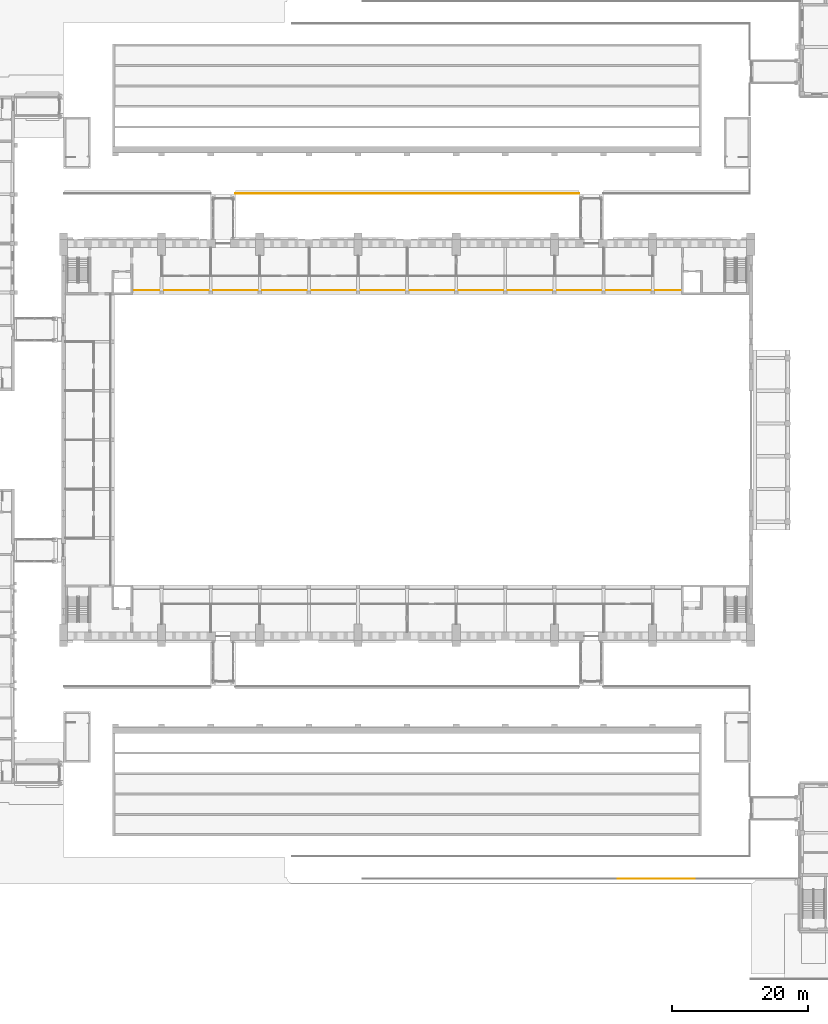
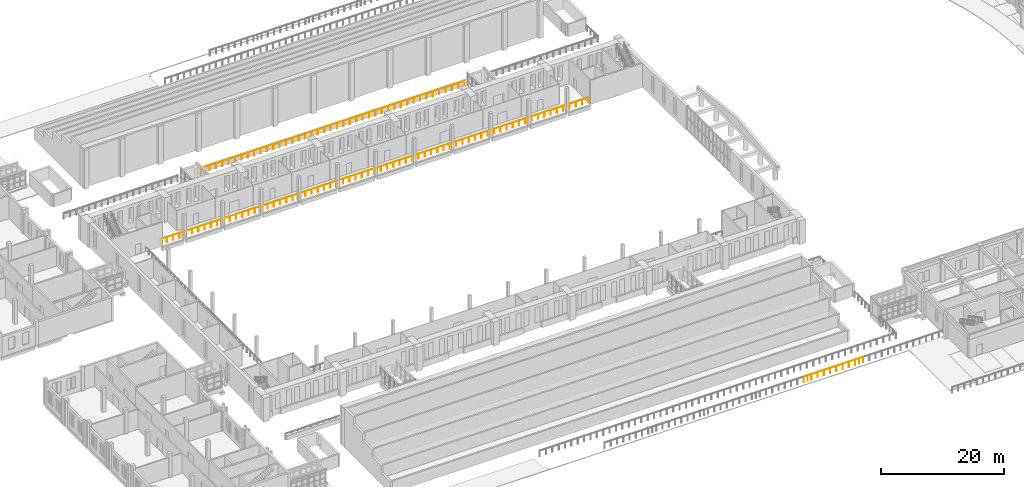
# One storey, part 120 of 131: 5 railings.
"""IFC4 building model written with IfcOpenShell, lengths in metres."""

import ifcopenshell
import ifcopenshell.guid

model = None  # the IFC model being written
_history = None  # IfcOwnerHistory: only IFC2X3 demands one
_inside = {}  # id of a spatial element -> (the spatial element, [elements in it])
_under = {}  # id of a project, library or spatial element -> (it, [spatial elements below it])
_declared = {}  # id of a project -> (the project, [libraries it declares])
_typed = {}  # id of a type object -> (the type object, [elements of that type])
_made_of = {}  # id of a material, layer set ... -> (it, [elements and type objects made of it])


def new_model(schema):
    """Start an empty IFC model of exactly this schema.

    Asked for "IFC4X3", IfcOpenShell would pick the latest addendum, in which some entities
    have other attributes; the version numbers below select the first issue.
    IFC2X3 requires an IfcOwnerHistory on every rooted entity: one is made here for all.
    """
    global model, _history
    if schema == "IFC4X3":
        model = ifcopenshell.file(schema_version=(4, 3, 0, 0))
    else:
        model = ifcopenshell.file(schema=schema)
    _inside.clear()
    _under.clear()
    _declared.clear()
    _typed.clear()
    _made_of.clear()
    _history = None
    if model.schema == "IFC2X3":
        org = make("IfcOrganization", Name="unknown")
        user = make(
            "IfcPersonAndOrganization",
            ThePerson=make("IfcPerson", FamilyName="unknown"),
            TheOrganization=org,
        )
        app = make(
            "IfcApplication",
            ApplicationDeveloper=org,
            Version="unknown",
            ApplicationFullName="unknown",
            ApplicationIdentifier="unknown",
        )
        _history = make(
            "IfcOwnerHistory",
            OwningUser=user,
            OwningApplication=app,
            ChangeAction="ADDED",
            CreationDate=0,
        )
    return model


def make(cls, **values):
    """One entity of the class cls with the attributes given. An attribute that is None is left unset."""
    return model.create_entity(
        cls, **{name: value for name, value in values.items() if value is not None}
    )


def rooted(cls, **values):
    """An entity with a GlobalId (a new one), such as an element, a storey or a relation."""
    return make(cls, GlobalId=ifcopenshell.guid.new(), OwnerHistory=_history, **values)


def si_unit(unit_type, name, prefix=None):
    """IfcSIUnit, for example si_unit("LENGTHUNIT", "METRE", prefix="MILLI")."""
    return make("IfcSIUnit", UnitType=unit_type, Prefix=prefix, Name=name)


def assignment(units):
    """IfcUnitAssignment: the units of a project."""
    return None if units is None else make("IfcUnitAssignment", Units=units)


def point(xyz):
    """IfcCartesianPoint."""
    return None if xyz is None else make("IfcCartesianPoint", Coordinates=xyz)


def direction(xyz):
    """IfcDirection."""
    return None if xyz is None else make("IfcDirection", DirectionRatios=xyz)


def frame(location, z_axis=None, x_axis=None):
    """IfcAxis2Placement3D, a coordinate frame: its origin and axes. An axis left out is left unset."""
    return make(
        "IfcAxis2Placement3D",
        Location=point(location),
        Axis=direction(z_axis),
        RefDirection=direction(x_axis),
    )


def frame_2d(location, x_axis=None):
    """IfcAxis2Placement2D, a coordinate frame in the plane: its origin and x axis."""
    return make(
        "IfcAxis2Placement2D", Location=point(location), RefDirection=direction(x_axis)
    )


def origin():
    """The frame at (0, 0, 0) with its axes left unset."""
    return frame((0.0, 0.0, 0.0))


def origin_2d():
    """The frame at (0, 0) in the plane with its x axis left unset."""
    return frame_2d((0.0, 0.0))


def place(relative_to, where):
    """IfcLocalPlacement: puts the frame where relative to a parent placement (None: the world)."""
    return make(
        "IfcLocalPlacement", PlacementRelTo=relative_to, RelativePlacement=where
    )


def context(
    kind, dimensions, precision=None, world=None, true_north=None, identifier=None
):
    """IfcGeometricRepresentationContext, for example the 3D "Model" context."""
    return make(
        "IfcGeometricRepresentationContext",
        ContextIdentifier=identifier,
        ContextType=kind,
        CoordinateSpaceDimension=dimensions,
        Precision=precision,
        WorldCoordinateSystem=world,
        TrueNorth=true_north,
    )


def subcontext(parent, identifier, kind, view, scale=None):
    """IfcGeometricRepresentationSubContext, for example "Body" below "Model"."""
    return make(
        "IfcGeometricRepresentationSubContext",
        ContextIdentifier=identifier,
        ContextType=kind,
        ParentContext=parent,
        TargetScale=scale,
        TargetView=view,
    )


def project(units=None, contexts=None):
    """IfcProject with its units and contexts."""
    return rooted(
        "IfcProject",
        Name="project",
        RepresentationContexts=contexts,
        UnitsInContext=assignment(units),
    )


def spatial(cls, under=None, at=None, **own):
    """A site, building, storey or space (cls), placed at a placement, below another one or the project."""
    s = rooted(cls, ObjectPlacement=at, **own)
    if under is not None:
        _under.setdefault(under.id(), (under, []))[1].append(s)
    return s


def profile(cls, at=None, kind="AREA", **sizes):
    """A parametric profile (cls). Its sizes go by their IFC names, for example OverallWidth=200.0."""
    return make(cls, ProfileType=kind, Position=at, **sizes)


def circle(**sizes):
    """IfcCircleProfileDef."""
    return profile("IfcCircleProfileDef", **sizes)


def extrude(swept, where, along, depth):
    """IfcExtrudedAreaSolid: the profile swept, set in the frame where, extruded along a direction by depth."""
    return make(
        "IfcExtrudedAreaSolid",
        SweptArea=swept,
        Position=where,
        ExtrudedDirection=direction(along),
        Depth=depth,
    )


def shape(context_of_items, identifier, shape_type, items):
    """IfcShapeRepresentation: the items that make up one representation, for example the "Body"."""
    return make(
        "IfcShapeRepresentation",
        ContextOfItems=context_of_items,
        RepresentationIdentifier=identifier,
        RepresentationType=shape_type,
        Items=items,
    )


def material(Name=None, Category=None):
    """IfcMaterial."""
    return make("IfcMaterial", Name=Name, Category=Category)


def made_of(thing, what):
    """Note that an element or type object is made of a material, layer set ...; save() writes the relation."""
    if what is not None:
        _made_of.setdefault(what.id(), (what, []))[1].append(thing)
    return thing


def type_object(cls, material=None, **own):
    """A type object (cls), such as IfcWallType, which elements share."""
    return made_of(rooted(cls, **own), material)


def element(
    cls,
    number,
    at=None,
    inside=None,
    cuts=None,
    type_object=None,
    material=None,
    context=None,
    identifier="Body",
    shape_type=None,
    held_by="IfcProductDefinitionShape",
    body=None,
    shapes=None,
    **own,
):
    """One element of the class cls, such as IfcWall. Its Tag is "e" and its number.

    at: its placement. inside: the storey or other place that contains it. cuts: it is an
    opening in that element (IfcRelVoidsElement). A single representation is given by context,
    identifier, shape_type and body (its items); several are given by shapes. held_by: the class
    of the entity that holds the representations. save() writes the other relations.
    """
    e = rooted(cls, Tag="e%d" % number, ObjectPlacement=at, **own)
    if body is not None:
        shapes = [shape(context, identifier, shape_type, body)]
    if shapes is not None:
        e.Representation = make(held_by, Representations=shapes)
    if inside is not None:
        _inside.setdefault(inside.id(), (inside, []))[1].append(e)
    if cuts is not None:
        rooted(
            "IfcRelVoidsElement", RelatingBuildingElement=cuts, RelatedOpeningElement=e
        )
    if type_object is not None:
        _typed.setdefault(type_object.id(), (type_object, []))[1].append(e)
    return made_of(e, material)


def aggregate(whole, parts):
    """IfcRelAggregates: a whole, such as a stair, and the parts it consists of."""
    return rooted("IfcRelAggregates", RelatingObject=whole, RelatedObjects=parts)


def save(model, path):
    """Write the relations noted so far, then the file.

    IfcRelAggregates (storeys below a building ...), IfcRelContainedInSpatialStructure (elements
    in a storey), IfcRelDefinesByType, IfcRelAssociatesMaterial and IfcRelDeclares: one each for
    every whole, place, type object, material and project.
    """
    for whole, parts in _under.values():
        aggregate(whole, parts)
    for where, things in _inside.values():
        rooted(
            "IfcRelContainedInSpatialStructure",
            RelatedElements=things,
            RelatingStructure=where,
        )
    for kind, things in _typed.values():
        rooted("IfcRelDefinesByType", RelatedObjects=things, RelatingType=kind)
    for what, things in _made_of.values():
        rooted("IfcRelAssociatesMaterial", RelatedObjects=things, RelatingMaterial=what)
    for by, libraries in _declared.values():
        rooted("IfcRelDeclares", RelatingContext=by, RelatedDefinitions=libraries)
    model.write(path)


model = new_model("IFC4")

# Units and contexts
model_context = context("Model", 3, precision=1e-05, world=origin(), true_north=direction((0.0, 1.0)))
body_context = subcontext(model_context, "Body", "Model", "MODEL_VIEW")
ifc_project = project(units=[si_unit("LENGTHUNIT", "METRE"), si_unit("AREAUNIT", "SQUARE_METRE"), si_unit("VOLUMEUNIT", "CUBIC_METRE"), si_unit("PLANEANGLEUNIT", "RADIAN"), si_unit("MASSUNIT", "GRAM", prefix="KILO")], contexts=[model_context])

# Site, building, storey
site_placement = place(None, origin())
site = spatial("IfcSite", under=ifc_project, at=site_placement, CompositionType="ELEMENT")
building_placement = place(site_placement, origin())
building = spatial("IfcBuilding", under=site, at=building_placement, Name="Alderwick Market Hall", CompositionType="ELEMENT")
storey_placement = place(building_placement, frame((0.0, 0.0, 4.800048828125)))
storey = spatial("IfcBuildingStorey", under=building, at=storey_placement, Name="L00", CompositionType="ELEMENT", Elevation=4.800048828125)

# Railings
ifc_material_1 = material(Name="Steel ASTM A500 Grade C", Category="steel")
railing_type_1 = type_object("IfcRailingType", Name="A Roof Guard 1100", PredefinedType="GUARDRAIL", material=ifc_material_1)
railing_1_placement = place(storey_placement, frame((75.60009765625, 115.35009765625, 0.0)))
element("IfcRailing", 1, at=railing_1_placement, inside=storey, type_object=railing_type_1, Name="Roof guard", PredefinedType="GUARDRAIL", context=body_context, shape_type="SweptSolid", body=[
    extrude(circle(Radius=0.02392578125, at=origin_2d()), frame((0.0, 0.0, 1.076171875), z_axis=(1.0, 0.0, 0.0), x_axis=(0.0, 1.0, 0.0)), (0.0, 0.0, 1.0), 50.39990234375),
    extrude(circle(Radius=0.02099609375, at=origin_2d()), origin(), (0.0, 0.0, 1.0), 1.052001953125),
    extrude(circle(Radius=0.02099609375, at=origin_2d()), frame((1.199951171875, 0.0, 0.0)), (0.0, 0.0, 1.0), 1.052001953125),
    extrude(circle(Radius=0.02099609375, at=origin_2d()), frame((2.39990234375, 0.0, 0.0)), (0.0, 0.0, 1.0), 1.052001953125),
    extrude(circle(Radius=0.02099609375, at=origin_2d()), frame((3.60009765625, 0.0, 0.0)), (0.0, 0.0, 1.0), 1.052001953125),
    extrude(circle(Radius=0.02099609375, at=origin_2d()), frame((4.800048828125, 0.0, 0.0)), (0.0, 0.0, 1.0), 1.052001953125),
    extrude(circle(Radius=0.02099609375, at=origin_2d()), frame((6.0, 0.0, 0.0)), (0.0, 0.0, 1.0), 1.052001953125),
    extrude(circle(Radius=0.02099609375, at=origin_2d()), frame((7.199951171875, 0.0, 0.0)), (0.0, 0.0, 1.0), 1.052001953125),
    extrude(circle(Radius=0.02099609375, at=origin_2d()), frame((8.39990234375, 0.0, 0.0)), (0.0, 0.0, 1.0), 1.052001953125),
    extrude(circle(Radius=0.02099609375, at=origin_2d()), frame((9.60009765625, 0.0, 0.0)), (0.0, 0.0, 1.0), 1.052001953125),
    extrude(circle(Radius=0.02099609375, at=origin_2d()), frame((10.800048828125, 0.0, 0.0)), (0.0, 0.0, 1.0), 1.052001953125),
    extrude(circle(Radius=0.02099609375, at=origin_2d()), frame((12.0, 0.0, 0.0)), (0.0, 0.0, 1.0), 1.052001953125),
    extrude(circle(Radius=0.02099609375, at=origin_2d()), frame((13.199951171875, 0.0, 0.0)), (0.0, 0.0, 1.0), 1.052001953125),
    extrude(circle(Radius=0.02099609375, at=origin_2d()), frame((14.39990234375, 0.0, 0.0)), (0.0, 0.0, 1.0), 1.052001953125),
    extrude(circle(Radius=0.02099609375, at=origin_2d()), frame((15.599853515625, 0.0, 0.0)), (0.0, 0.0, 1.0), 1.052001953125),
    extrude(circle(Radius=0.02099609375, at=origin_2d()), frame((16.800048828125, 0.0, 0.0)), (0.0, 0.0, 1.0), 1.052001953125),
    extrude(circle(Radius=0.02099609375, at=origin_2d()), frame((18.0, 0.0, 0.0)), (0.0, 0.0, 1.0), 1.052001953125),
    extrude(circle(Radius=0.02099609375, at=origin_2d()), frame((19.199951171875, 0.0, 0.0)), (0.0, 0.0, 1.0), 1.052001953125),
    extrude(circle(Radius=0.02099609375, at=origin_2d()), frame((20.39990234375, 0.0, 0.0)), (0.0, 0.0, 1.0), 1.052001953125),
    extrude(circle(Radius=0.02099609375, at=origin_2d()), frame((21.599853515625, 0.0, 0.0)), (0.0, 0.0, 1.0), 1.052001953125),
    extrude(circle(Radius=0.02099609375, at=origin_2d()), frame((22.800048828125, 0.0, 0.0)), (0.0, 0.0, 1.0), 1.052001953125),
    extrude(circle(Radius=0.02099609375, at=origin_2d()), frame((24.0, 0.0, 0.0)), (0.0, 0.0, 1.0), 1.052001953125),
    extrude(circle(Radius=0.02099609375, at=origin_2d()), frame((25.199951171875, 0.0, 0.0)), (0.0, 0.0, 1.0), 1.052001953125),
    extrude(circle(Radius=0.02099609375, at=origin_2d()), frame((26.39990234375, 0.0, 0.0)), (0.0, 0.0, 1.0), 1.052001953125),
    extrude(circle(Radius=0.02099609375, at=origin_2d()), frame((27.599853515625, 0.0, 0.0)), (0.0, 0.0, 1.0), 1.052001953125),
    extrude(circle(Radius=0.02099609375, at=origin_2d()), frame((28.800048828125, 0.0, 0.0)), (0.0, 0.0, 1.0), 1.052001953125),
    extrude(circle(Radius=0.02099609375, at=origin_2d()), frame((30.0, 0.0, 0.0)), (0.0, 0.0, 1.0), 1.052001953125),
    extrude(circle(Radius=0.02099609375, at=origin_2d()), frame((31.199951171875, 0.0, 0.0)), (0.0, 0.0, 1.0), 1.052001953125),
    extrude(circle(Radius=0.02099609375, at=origin_2d()), frame((32.39990234375, 0.0, 0.0)), (0.0, 0.0, 1.0), 1.052001953125),
    extrude(circle(Radius=0.02099609375, at=origin_2d()), frame((33.599853515625, 0.0, 0.0)), (0.0, 0.0, 1.0), 1.052001953125),
    extrude(circle(Radius=0.02099609375, at=origin_2d()), frame((34.800048828125, 0.0, 0.0)), (0.0, 0.0, 1.0), 1.052001953125),
    extrude(circle(Radius=0.02099609375, at=origin_2d()), frame((36.0, 0.0, 0.0)), (0.0, 0.0, 1.0), 1.052001953125),
    extrude(circle(Radius=0.02099609375, at=origin_2d()), frame((37.199951171875, 0.0, 0.0)), (0.0, 0.0, 1.0), 1.052001953125),
    extrude(circle(Radius=0.02099609375, at=origin_2d()), frame((38.39990234375, 0.0, 0.0)), (0.0, 0.0, 1.0), 1.052001953125),
    extrude(circle(Radius=0.02099609375, at=origin_2d()), frame((39.599853515625, 0.0, 0.0)), (0.0, 0.0, 1.0), 1.052001953125),
    extrude(circle(Radius=0.02099609375, at=origin_2d()), frame((40.7998046875, 0.0, 0.0)), (0.0, 0.0, 1.0), 1.052001953125),
    extrude(circle(Radius=0.02099609375, at=origin_2d()), frame((42.0, 0.0, 0.0)), (0.0, 0.0, 1.0), 1.052001953125),
    extrude(circle(Radius=0.02099609375, at=origin_2d()), frame((43.199951171875, 0.0, 0.0)), (0.0, 0.0, 1.0), 1.052001953125),
    extrude(circle(Radius=0.02099609375, at=origin_2d()), frame((44.39990234375, 0.0, 0.0)), (0.0, 0.0, 1.0), 1.052001953125),
    extrude(circle(Radius=0.02099609375, at=origin_2d()), frame((45.599853515625, 0.0, 0.0)), (0.0, 0.0, 1.0), 1.052001953125),
    extrude(circle(Radius=0.02099609375, at=origin_2d()), frame((46.7998046875, 0.0, 0.0)), (0.0, 0.0, 1.0), 1.052001953125),
    extrude(circle(Radius=0.02099609375, at=origin_2d()), frame((48.0, 0.0, 0.0)), (0.0, 0.0, 1.0), 1.052001953125),
    extrude(circle(Radius=0.02099609375, at=origin_2d()), frame((49.199951171875, 0.0, 0.0)), (0.0, 0.0, 1.0), 1.052001953125),
    extrude(circle(Radius=0.02099609375, at=origin_2d()), frame((50.39990234375, 0.0, 0.0)), (0.0, 0.0, 1.0), 1.052001953125),
])
ifc_material_2 = material(Name="Steel, painted", Category="steel")
railing_type_2 = type_object("IfcRailingType", Name="H Guard 1100", PredefinedType="GUARDRAIL", material=ifc_material_2)
railing_2_placement = place(storey_placement, frame((60.550048828125, 101.10009765625, 0.0)))
element("IfcRailing", 2, at=railing_2_placement, inside=storey, type_object=railing_type_2, Name="Gallery guard N L00", PredefinedType="GUARDRAIL", context=body_context, shape_type="SweptSolid", body=[
    extrude(circle(Radius=0.02392578125, at=origin_2d()), frame((0.0, 0.0, 1.076171875), z_axis=(1.0, 0.0, 0.0), x_axis=(0.0, 1.0, 0.0)), (0.0, 0.0, 1.0), 80.5),
    extrude(circle(Radius=0.02099609375, at=origin_2d()), origin(), (0.0, 0.0, 1.0), 1.052001953125),
    extrude(circle(Radius=0.02099609375, at=origin_2d()), frame((1.183837890625, 0.0, 0.0)), (0.0, 0.0, 1.0), 1.052001953125),
    extrude(circle(Radius=0.02099609375, at=origin_2d()), frame((2.36767578125, 0.0, 0.0)), (0.0, 0.0, 1.0), 1.052001953125),
    extrude(circle(Radius=0.02099609375, at=origin_2d()), frame((3.551513671875, 0.0, 0.0)), (0.0, 0.0, 1.0), 1.052001953125),
    extrude(circle(Radius=0.02099609375, at=origin_2d()), frame((4.7353515625, 0.0, 0.0)), (0.0, 0.0, 1.0), 1.052001953125),
    extrude(circle(Radius=0.02099609375, at=origin_2d()), frame((5.919189453125, 0.0, 0.0)), (0.0, 0.0, 1.0), 1.052001953125),
    extrude(circle(Radius=0.02099609375, at=origin_2d()), frame((7.10302734375, 0.0, 0.0)), (0.0, 0.0, 1.0), 1.052001953125),
    extrude(circle(Radius=0.02099609375, at=origin_2d()), frame((8.286865234375, 0.0, 0.0)), (0.0, 0.0, 1.0), 1.052001953125),
    extrude(circle(Radius=0.02099609375, at=origin_2d()), frame((9.470703125, 0.0, 0.0)), (0.0, 0.0, 1.0), 1.052001953125),
    extrude(circle(Radius=0.02099609375, at=origin_2d()), frame((10.654296875, 0.0, 0.0)), (0.0, 0.0, 1.0), 1.052001953125),
    extrude(circle(Radius=0.02099609375, at=origin_2d()), frame((11.838134765625, 0.0, 0.0)), (0.0, 0.0, 1.0), 1.052001953125),
    extrude(circle(Radius=0.02099609375, at=origin_2d()), frame((13.02197265625, 0.0, 0.0)), (0.0, 0.0, 1.0), 1.052001953125),
    extrude(circle(Radius=0.02099609375, at=origin_2d()), frame((14.205810546875, 0.0, 0.0)), (0.0, 0.0, 1.0), 1.052001953125),
    extrude(circle(Radius=0.02099609375, at=origin_2d()), frame((15.3896484375, 0.0, 0.0)), (0.0, 0.0, 1.0), 1.052001953125),
    extrude(circle(Radius=0.02099609375, at=origin_2d()), frame((16.573486328125, 0.0, 0.0)), (0.0, 0.0, 1.0), 1.052001953125),
    extrude(circle(Radius=0.02099609375, at=origin_2d()), frame((17.75732421875, 0.0, 0.0)), (0.0, 0.0, 1.0), 1.052001953125),
    extrude(circle(Radius=0.02099609375, at=origin_2d()), frame((18.941162109375, 0.0, 0.0)), (0.0, 0.0, 1.0), 1.052001953125),
    extrude(circle(Radius=0.02099609375, at=origin_2d()), frame((20.125, 0.0, 0.0)), (0.0, 0.0, 1.0), 1.052001953125),
    extrude(circle(Radius=0.02099609375, at=origin_2d()), frame((21.308837890625, 0.0, 0.0)), (0.0, 0.0, 1.0), 1.052001953125),
    extrude(circle(Radius=0.02099609375, at=origin_2d()), frame((22.49267578125, 0.0, 0.0)), (0.0, 0.0, 1.0), 1.052001953125),
    extrude(circle(Radius=0.02099609375, at=origin_2d()), frame((23.676513671875, 0.0, 0.0)), (0.0, 0.0, 1.0), 1.052001953125),
    extrude(circle(Radius=0.02099609375, at=origin_2d()), frame((24.8603515625, 0.0, 0.0)), (0.0, 0.0, 1.0), 1.052001953125),
    extrude(circle(Radius=0.02099609375, at=origin_2d()), frame((26.044189453125, 0.0, 0.0)), (0.0, 0.0, 1.0), 1.052001953125),
    extrude(circle(Radius=0.02099609375, at=origin_2d()), frame((27.22802734375, 0.0, 0.0)), (0.0, 0.0, 1.0), 1.052001953125),
    extrude(circle(Radius=0.02099609375, at=origin_2d()), frame((28.411865234375, 0.0, 0.0)), (0.0, 0.0, 1.0), 1.052001953125),
    extrude(circle(Radius=0.02099609375, at=origin_2d()), frame((29.595703125, 0.0, 0.0)), (0.0, 0.0, 1.0), 1.052001953125),
    extrude(circle(Radius=0.02099609375, at=origin_2d()), frame((30.779296875, 0.0, 0.0)), (0.0, 0.0, 1.0), 1.052001953125),
    extrude(circle(Radius=0.02099609375, at=origin_2d()), frame((31.963134765625, 0.0, 0.0)), (0.0, 0.0, 1.0), 1.052001953125),
    extrude(circle(Radius=0.02099609375, at=origin_2d()), frame((33.14697265625, 0.0, 0.0)), (0.0, 0.0, 1.0), 1.052001953125),
    extrude(circle(Radius=0.02099609375, at=origin_2d()), frame((34.330810546875, 0.0, 0.0)), (0.0, 0.0, 1.0), 1.052001953125),
    extrude(circle(Radius=0.02099609375, at=origin_2d()), frame((35.5146484375, 0.0, 0.0)), (0.0, 0.0, 1.0), 1.052001953125),
    extrude(circle(Radius=0.02099609375, at=origin_2d()), frame((36.698486328125, 0.0, 0.0)), (0.0, 0.0, 1.0), 1.052001953125),
    extrude(circle(Radius=0.02099609375, at=origin_2d()), frame((37.88232421875, 0.0, 0.0)), (0.0, 0.0, 1.0), 1.052001953125),
    extrude(circle(Radius=0.02099609375, at=origin_2d()), frame((39.066162109375, 0.0, 0.0)), (0.0, 0.0, 1.0), 1.052001953125),
    extrude(circle(Radius=0.02099609375, at=origin_2d()), frame((40.25, 0.0, 0.0)), (0.0, 0.0, 1.0), 1.052001953125),
    extrude(circle(Radius=0.02099609375, at=origin_2d()), frame((41.433837890625, 0.0, 0.0)), (0.0, 0.0, 1.0), 1.052001953125),
    extrude(circle(Radius=0.02099609375, at=origin_2d()), frame((42.61767578125, 0.0, 0.0)), (0.0, 0.0, 1.0), 1.052001953125),
    extrude(circle(Radius=0.02099609375, at=origin_2d()), frame((43.801513671875, 0.0, 0.0)), (0.0, 0.0, 1.0), 1.052001953125),
    extrude(circle(Radius=0.02099609375, at=origin_2d()), frame((44.9853515625, 0.0, 0.0)), (0.0, 0.0, 1.0), 1.052001953125),
    extrude(circle(Radius=0.02099609375, at=origin_2d()), frame((46.169189453125, 0.0, 0.0)), (0.0, 0.0, 1.0), 1.052001953125),
    extrude(circle(Radius=0.02099609375, at=origin_2d()), frame((47.35302734375, 0.0, 0.0)), (0.0, 0.0, 1.0), 1.052001953125),
    extrude(circle(Radius=0.02099609375, at=origin_2d()), frame((48.536865234375, 0.0, 0.0)), (0.0, 0.0, 1.0), 1.052001953125),
    extrude(circle(Radius=0.02099609375, at=origin_2d()), frame((49.720703125, 0.0, 0.0)), (0.0, 0.0, 1.0), 1.052001953125),
    extrude(circle(Radius=0.02099609375, at=origin_2d()), frame((50.904296875, 0.0, 0.0)), (0.0, 0.0, 1.0), 1.052001953125),
    extrude(circle(Radius=0.02099609375, at=origin_2d()), frame((52.088134765625, 0.0, 0.0)), (0.0, 0.0, 1.0), 1.052001953125),
    extrude(circle(Radius=0.02099609375, at=origin_2d()), frame((53.27197265625, 0.0, 0.0)), (0.0, 0.0, 1.0), 1.052001953125),
    extrude(circle(Radius=0.02099609375, at=origin_2d()), frame((54.455810546875, 0.0, 0.0)), (0.0, 0.0, 1.0), 1.052001953125),
    extrude(circle(Radius=0.02099609375, at=origin_2d()), frame((55.6396484375, 0.0, 0.0)), (0.0, 0.0, 1.0), 1.052001953125),
    extrude(circle(Radius=0.02099609375, at=origin_2d()), frame((56.823486328125, 0.0, 0.0)), (0.0, 0.0, 1.0), 1.052001953125),
    extrude(circle(Radius=0.02099609375, at=origin_2d()), frame((58.00732421875, 0.0, 0.0)), (0.0, 0.0, 1.0), 1.052001953125),
    extrude(circle(Radius=0.02099609375, at=origin_2d()), frame((59.191162109375, 0.0, 0.0)), (0.0, 0.0, 1.0), 1.052001953125),
    extrude(circle(Radius=0.02099609375, at=origin_2d()), frame((60.375, 0.0, 0.0)), (0.0, 0.0, 1.0), 1.052001953125),
    extrude(circle(Radius=0.02099609375, at=origin_2d()), frame((61.558837890625, 0.0, 0.0)), (0.0, 0.0, 1.0), 1.052001953125),
    extrude(circle(Radius=0.02099609375, at=origin_2d()), frame((62.74267578125, 0.0, 0.0)), (0.0, 0.0, 1.0), 1.052001953125),
    extrude(circle(Radius=0.02099609375, at=origin_2d()), frame((63.926513671875, 0.0, 0.0)), (0.0, 0.0, 1.0), 1.052001953125),
    extrude(circle(Radius=0.02099609375, at=origin_2d()), frame((65.1103515625, 0.0, 0.0)), (0.0, 0.0, 1.0), 1.052001953125),
    extrude(circle(Radius=0.02099609375, at=origin_2d()), frame((66.294189453125, 0.0, 0.0)), (0.0, 0.0, 1.0), 1.052001953125),
    extrude(circle(Radius=0.02099609375, at=origin_2d()), frame((67.47802734375, 0.0, 0.0)), (0.0, 0.0, 1.0), 1.052001953125),
    extrude(circle(Radius=0.02099609375, at=origin_2d()), frame((68.661865234375, 0.0, 0.0)), (0.0, 0.0, 1.0), 1.052001953125),
    extrude(circle(Radius=0.02099609375, at=origin_2d()), frame((69.845703125, 0.0, 0.0)), (0.0, 0.0, 1.0), 1.052001953125),
    extrude(circle(Radius=0.02099609375, at=origin_2d()), frame((71.029296875, 0.0, 0.0)), (0.0, 0.0, 1.0), 1.052001953125),
    extrude(circle(Radius=0.02099609375, at=origin_2d()), frame((72.213134765625, 0.0, 0.0)), (0.0, 0.0, 1.0), 1.052001953125),
    extrude(circle(Radius=0.02099609375, at=origin_2d()), frame((73.39697265625, 0.0, 0.0)), (0.0, 0.0, 1.0), 1.052001953125),
    extrude(circle(Radius=0.02099609375, at=origin_2d()), frame((74.580810546875, 0.0, 0.0)), (0.0, 0.0, 1.0), 1.052001953125),
    extrude(circle(Radius=0.02099609375, at=origin_2d()), frame((75.7646484375, 0.0, 0.0)), (0.0, 0.0, 1.0), 1.052001953125),
    extrude(circle(Radius=0.02099609375, at=origin_2d()), frame((76.948486328125, 0.0, 0.0)), (0.0, 0.0, 1.0), 1.052001953125),
    extrude(circle(Radius=0.02099609375, at=origin_2d()), frame((78.13232421875, 0.0, 0.0)), (0.0, 0.0, 1.0), 1.052001953125),
    extrude(circle(Radius=0.02099609375, at=origin_2d()), frame((79.316162109375, 0.0, 0.0)), (0.0, 0.0, 1.0), 1.052001953125),
    extrude(circle(Radius=0.02099609375, at=origin_2d()), frame((80.5, 0.0, 0.0)), (0.0, 0.0, 1.0), 1.052001953125),
])
railing_type_3 = type_object("IfcRailingType", Name="S Guard 1100", PredefinedType="GUARDRAIL", material=ifc_material_1)
railing_3_placement = place(storey_placement, frame((142.970947265625, 14.85009765625, 0.0)))
element("IfcRailing", 3, at=railing_3_placement, inside=storey, type_object=railing_type_3, Name="Guard S.03", PredefinedType="GUARDRAIL", context=body_context, shape_type="SweptSolid", body=[
    extrude(circle(Radius=0.02490234375, at=origin_2d()), frame((0.0, 0.0, 1.0751953125), z_axis=(-1.0, 0.0, 0.0), x_axis=(0.0, -1.0, 0.0)), (0.0, 0.0, 1.0), 1.5),
    extrude(circle(Radius=0.02001953125, at=origin_2d()), origin(), (0.0, 0.0, 1.0), 1.050048828125),
    extrude(circle(Radius=0.02001953125, at=origin_2d()), frame((-0.75, 0.0, 0.0)), (0.0, 0.0, 1.0), 1.050048828125),
    extrude(circle(Radius=0.02001953125, at=origin_2d()), frame((-1.5, 0.0, 0.0)), (0.0, 0.0, 1.0), 1.050048828125),
])
railing_4_placement = place(storey_placement, frame((141.470947265625, 14.85009765625, 0.0)))
element("IfcRailing", 4, at=railing_4_placement, inside=storey, type_object=railing_type_3, Name="Guard S.04", PredefinedType="GUARDRAIL", context=body_context, shape_type="SweptSolid", body=[
    extrude(circle(Radius=0.02490234375, at=origin_2d()), frame((0.0, 0.0, 1.0751953125), z_axis=(-1.0, 0.0, 0.0), x_axis=(0.0, -1.0, 0.0)), (0.0, 0.0, 1.0), 8.22802734375),
    extrude(circle(Radius=0.02001953125, at=origin_2d()), origin(), (0.0, 0.0, 1.0), 1.050048828125),
    extrude(circle(Radius=0.02001953125, at=origin_2d()), frame((-1.175537109375, 0.0, 0.0)), (0.0, 0.0, 1.0), 1.050048828125),
    extrude(circle(Radius=0.02001953125, at=origin_2d()), frame((-2.350830078125, 0.0, 0.0)), (0.0, 0.0, 1.0), 1.050048828125),
    extrude(circle(Radius=0.02001953125, at=origin_2d()), frame((-3.5263671875, 0.0, 0.0)), (0.0, 0.0, 1.0), 1.050048828125),
    extrude(circle(Radius=0.02001953125, at=origin_2d()), frame((-4.70166015625, 0.0, 0.0)), (0.0, 0.0, 1.0), 1.050048828125),
    extrude(circle(Radius=0.02001953125, at=origin_2d()), frame((-5.877197265625, 0.0, 0.0)), (0.0, 0.0, 1.0), 1.050048828125),
    extrude(circle(Radius=0.02001953125, at=origin_2d()), frame((-7.052490234375, 0.0, 0.0)), (0.0, 0.0, 1.0), 1.050048828125),
    extrude(circle(Radius=0.02001953125, at=origin_2d()), frame((-8.22802734375, 0.0, 0.0)), (0.0, 0.0, 1.0), 1.050048828125),
])
railing_5_placement = place(storey_placement, frame((133.242919921875, 14.85009765625, 0.0)))
element("IfcRailing", 5, at=railing_5_placement, inside=storey, type_object=railing_type_3, Name="Guard S.05", PredefinedType="GUARDRAIL", context=body_context, shape_type="SweptSolid", body=[
    extrude(circle(Radius=0.02490234375, at=origin_2d()), frame((0.0, 0.0, 1.0751953125), z_axis=(-1.0, 0.0, 0.0), x_axis=(0.0, -1.0, 0.0)), (0.0, 0.0, 1.0), 1.5),
    extrude(circle(Radius=0.02001953125, at=origin_2d()), origin(), (0.0, 0.0, 1.0), 1.050048828125),
    extrude(circle(Radius=0.02001953125, at=origin_2d()), frame((-0.75, 0.0, 0.0)), (0.0, 0.0, 1.0), 1.050048828125),
    extrude(circle(Radius=0.02001953125, at=origin_2d()), frame((-1.5, 0.0, 0.0)), (0.0, 0.0, 1.0), 1.050048828125),
])

save(model, "model.ifc")
